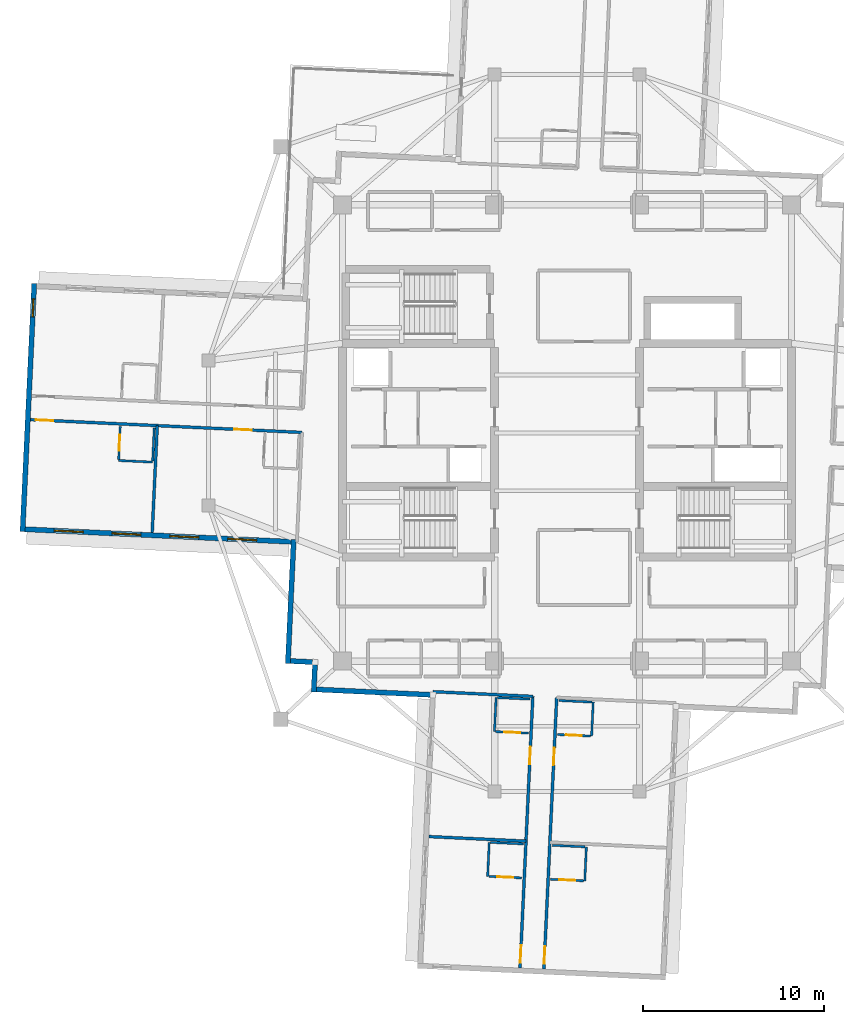
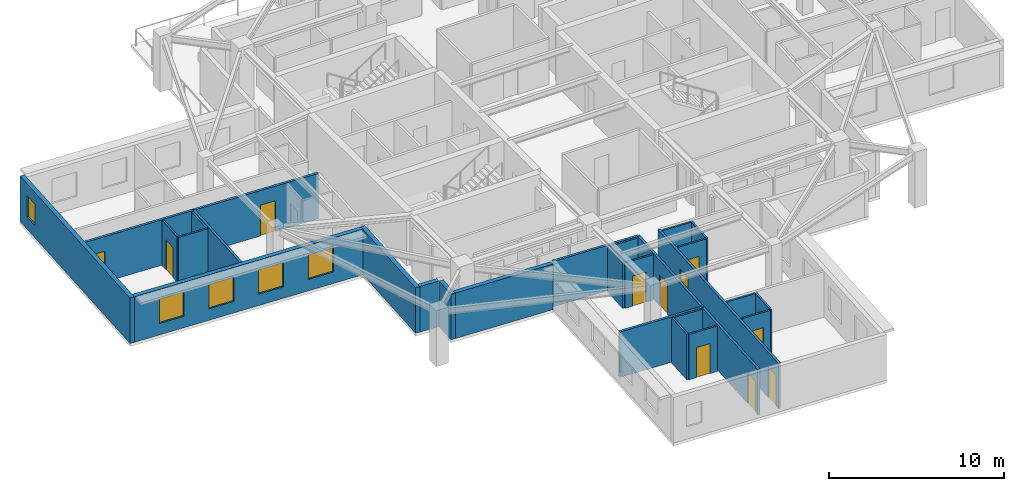
# One storey, part 3 of 12: 27 walls, 11 doors, 5 windows, 16 openings.
"""IFC4 building model written with IfcOpenShell, lengths in metres."""

from ifc_helpers import new_model, si_unit, direction, frame, frame_2d, origin, place, context, subcontext, project, spatial, rectangle, extrude, material, layer, layer_set, type_object, element, fill, save


model = new_model("IFC4")

# Units and contexts
model_context = context("Model", 3, precision=1e-05, world=origin(), true_north=direction((0.0, 1.0)))
body_context = subcontext(model_context, "Body", "Model", "MODEL_VIEW")
ifc_project = project(units=[si_unit("LENGTHUNIT", "METRE"), si_unit("AREAUNIT", "SQUARE_METRE"), si_unit("VOLUMEUNIT", "CUBIC_METRE"), si_unit("PLANEANGLEUNIT", "RADIAN"), si_unit("MASSUNIT", "GRAM", prefix="KILO")], contexts=[model_context])

# Site, building, storey
site_placement = place(None, origin())
site = spatial("IfcSite", under=ifc_project, at=site_placement, CompositionType="ELEMENT")
building_placement = place(site_placement, origin())
building = spatial("IfcBuilding", under=site, at=building_placement, Name="Qingluan Cross Belvedere", CompositionType="ELEMENT")
storey_placement = place(building_placement, frame((0.0, 0.0, 253.800048828125)))
storey = spatial("IfcBuildingStorey", under=building, at=storey_placement, Name="L63", CompositionType="ELEMENT", Elevation=253.800048828125)

# Wall, openings, doors
ifc_material_1 = material(Name="Gypsum plasterboard on steel stud acoustic partition", Category="steel")
ifc_layer_1 = layer(ifc_material_1, 0.159912109375, Name="CorridorPartition_160")
ifc_layer_set_1 = layer_set([ifc_layer_1], Name="Gypsum plasterboard on steel stud acoustic partition")
wall_type_1 = type_object("IfcWallType", Name="CorridorPartition_160", PredefinedType="PARTITIONING", material=ifc_layer_set_1)
wall_1_placement = place(storey_placement, frame((-14.635009765625, 0.029296875, 0.0), z_axis=(0.0, 0.0, 1.0), x_axis=(-0.998889487459, 0.047114666968, 0.0)))
wall_1 = element("IfcWall", 1, at=wall_1_placement, inside=storey, type_object=wall_type_1, Name="Partition L63:W:c1", PredefinedType="PARTITIONING", context=body_context, shape_type="SweptSolid", body=[
    extrude(rectangle(XDim=15.01171875, YDim=0.159912109375, at=frame_2d((7.505859375, 0.0))), origin(), (0.0, 0.0, 1.0), 3.169921875),
])
opening_1_placement = place(wall_1_placement, frame((2.780029296875, 0.0, 0.0)))
opening_1 = element("IfcOpeningElement", 2, at=opening_1_placement, cuts=wall_1, Name="Opening GD-10", PredefinedType="OPENING", context=body_context, shape_type="SweptSolid", body=[
    extrude(rectangle(XDim=0.9599609375, YDim=2.14990234375, at=frame_2d((0.47998046875, 1.074951171875))), frame((0.0, 0.08984375, 0.0), z_axis=(0.0, -1.0, 0.0), x_axis=(1.0, 0.0, 0.0)), (0.0, 0.0, 1.0), 0.179931640625),
])
opening_2_placement = place(wall_1_placement, frame((13.760009765625, 0.0, 0.0)))
opening_2 = element("IfcOpeningElement", 3, at=opening_2_placement, cuts=wall_1, Name="Opening GD-10", PredefinedType="OPENING", context=body_context, shape_type="SweptSolid", body=[
    extrude(rectangle(XDim=0.9599609375, YDim=2.14990234375, at=frame_2d((0.47998046875, 1.074951171875))), frame((0.0, 0.08984375, 0.0), z_axis=(0.0, -1.0, 0.0), x_axis=(1.0, 0.0, 0.0)), (0.0, 0.0, 1.0), 0.179931640625),
])
ifc_material_2 = material(Name="Timber oak fire-rated acoustic guestroom door", Category="wood")
door_type_1 = type_object("IfcDoorType", Name="GuestEntryDoor_FD60", OperationType="NOTDEFINED", PredefinedType="DOOR", material=ifc_material_2)
door_1_placement = place(opening_1_placement, origin())
door_1 = element("IfcDoor", 4, at=door_1_placement, inside=storey, type_object=door_type_1, Name="Guest entry fire door 6307", OperationType="SINGLE_SWING_LEFT", OverallHeight=2.14990234375, OverallWidth=0.9599609375, PredefinedType="DOOR", context=body_context, shape_type="SweptSolid", body=[
    extrude(rectangle(XDim=0.9599609375, YDim=2.14990234375, at=frame_2d((0.47998046875, 1.074951171875))), frame((0.0, 0.02490234375, 0.0), z_axis=(0.0, -1.0, 0.0), x_axis=(1.0, 0.0, 0.0)), (0.0, 0.0, 1.0), 0.050048828125),
])
fill(opening_1, door_1)
door_2_placement = place(opening_2_placement, origin())
door_2 = element("IfcDoor", 5, at=door_2_placement, inside=storey, type_object=door_type_1, Name="Guest entry fire door 6308", OperationType="SINGLE_SWING_LEFT", OverallHeight=2.14990234375, OverallWidth=0.9599609375, PredefinedType="DOOR", context=body_context, shape_type="SweptSolid", body=[
    extrude(rectangle(XDim=0.9599609375, YDim=2.14990234375, at=frame_2d((0.47998046875, 1.074951171875))), frame((0.0, 0.02490234375, 0.0), z_axis=(0.0, -1.0, 0.0), x_axis=(1.0, 0.0, 0.0)), (0.0, 0.0, 1.0), 0.050048828125),
])
fill(opening_2, door_2)

# Wall
wall_2_placement = place(storey_placement, frame((-22.6298828125, 0.406494140625, 0.0), z_axis=(0.0, 0.0, 1.0), x_axis=(-0.047117811235, -0.998889339148, 0.0)))
element("IfcWall", 6, at=wall_2_placement, inside=storey, type_object=wall_type_1, Name="Partition L63:W:d1_0", PredefinedType="PARTITIONING", context=body_context, shape_type="SweptSolid", body=[
    extrude(rectangle(XDim=5.912109375, YDim=0.159912109375, at=frame_2d((2.9560546875, 0.0))), origin(), (0.0, 0.0, 1.0), 3.169921875),
])

# Wall, openings, doors
wall_3_placement = place(storey_placement, frame((-0.56884765625, -14.609375, 0.0), z_axis=(0.0, 0.0, 1.0), x_axis=(-0.047097674677, -0.998890288791, 0.0)))
wall_3 = element("IfcWall", 7, at=wall_3_placement, inside=storey, type_object=wall_type_1, Name="Partition L63:S:c0", PredefinedType="PARTITIONING", context=body_context, shape_type="SweptSolid", body=[
    extrude(rectangle(XDim=15.011962890625, YDim=0.159912109375, at=frame_2d((7.505859375, 0.0))), origin(), (0.0, 0.0, 1.0), 3.169921875),
])
opening_3_placement = place(wall_3_placement, frame((2.780029296875, 0.0, 0.0)))
opening_3 = element("IfcOpeningElement", 8, at=opening_3_placement, cuts=wall_3, Name="Opening GD-10", PredefinedType="OPENING", context=body_context, shape_type="SweptSolid", body=[
    extrude(rectangle(XDim=0.9599609375, YDim=2.14990234375, at=frame_2d((0.47998046875, 1.074951171875))), frame((0.0, 0.08984375, 0.0), z_axis=(0.0, -1.0, 0.0), x_axis=(1.0, 0.0, 0.0)), (0.0, 0.0, 1.0), 0.179931640625),
])
opening_4_placement = place(wall_3_placement, frame((13.760009765625, 0.0, 0.0)))
opening_4 = element("IfcOpeningElement", 9, at=opening_4_placement, cuts=wall_3, Name="Opening GD-10", PredefinedType="OPENING", context=body_context, shape_type="SweptSolid", body=[
    extrude(rectangle(XDim=0.9599609375, YDim=2.14990234375, at=frame_2d((0.47998046875, 1.074951171875))), frame((0.0, 0.08984375, 0.0), z_axis=(0.0, -1.0, 0.0), x_axis=(1.0, 0.0, 0.0)), (0.0, 0.0, 1.0), 0.179931640625),
])
door_3_placement = place(opening_3_placement, origin())
door_3 = element("IfcDoor", 10, at=door_3_placement, inside=storey, type_object=door_type_1, Name="Guest entry fire door 6311", OperationType="SINGLE_SWING_LEFT", OverallHeight=2.14990234375, OverallWidth=0.9599609375, PredefinedType="DOOR", context=body_context, shape_type="SweptSolid", body=[
    extrude(rectangle(XDim=0.9599609375, YDim=2.14990234375, at=frame_2d((0.47998046875, 1.074951171875))), frame((0.0, 0.02490234375, 0.0), z_axis=(0.0, -1.0, 0.0), x_axis=(1.0, 0.0, 0.0)), (0.0, 0.0, 1.0), 0.050048828125),
])
fill(opening_3, door_3)
door_4_placement = place(opening_4_placement, origin())
door_4 = element("IfcDoor", 11, at=door_4_placement, inside=storey, type_object=door_type_1, Name="Guest entry fire door 6312", OperationType="SINGLE_SWING_LEFT", OverallHeight=2.14990234375, OverallWidth=0.9599609375, PredefinedType="DOOR", context=body_context, shape_type="SweptSolid", body=[
    extrude(rectangle(XDim=0.9599609375, YDim=2.14990234375, at=frame_2d((0.47998046875, 1.074951171875))), frame((0.0, 0.02490234375, 0.0), z_axis=(0.0, -1.0, 0.0), x_axis=(1.0, 0.0, 0.0)), (0.0, 0.0, 1.0), 0.050048828125),
])
fill(opening_4, door_4)

wall_4_placement = place(storey_placement, frame((-1.887451171875, -14.547119140625, 0.0), z_axis=(0.0, 0.0, 1.0), x_axis=(-0.047097674677, -0.998890288791, 0.0)))
wall_4 = element("IfcWall", 12, at=wall_4_placement, inside=storey, type_object=wall_type_1, Name="Partition L63:S:c1", PredefinedType="PARTITIONING", context=body_context, shape_type="SweptSolid", body=[
    extrude(rectangle(XDim=15.011962890625, YDim=0.159912109375, at=frame_2d((7.505859375, 0.0))), origin(), (0.0, 0.0, 1.0), 3.169921875),
])
opening_5_placement = place(wall_4_placement, frame((2.780029296875, 0.0, 0.0)))
opening_5 = element("IfcOpeningElement", 13, at=opening_5_placement, cuts=wall_4, Name="Opening GD-10", PredefinedType="OPENING", context=body_context, shape_type="SweptSolid", body=[
    extrude(rectangle(XDim=0.9599609375, YDim=2.14990234375, at=frame_2d((0.47998046875, 1.074951171875))), frame((0.0, 0.08984375, 0.0), z_axis=(0.0, -1.0, 0.0), x_axis=(1.0, 0.0, 0.0)), (0.0, 0.0, 1.0), 0.179931640625),
])
opening_6_placement = place(wall_4_placement, frame((13.760009765625, 0.0, 0.0)))
opening_6 = element("IfcOpeningElement", 14, at=opening_6_placement, cuts=wall_4, Name="Opening GD-10", PredefinedType="OPENING", context=body_context, shape_type="SweptSolid", body=[
    extrude(rectangle(XDim=0.9599609375, YDim=2.14990234375, at=frame_2d((0.47998046875, 1.074951171875))), frame((0.0, 0.08984375, 0.0), z_axis=(0.0, -1.0, 0.0), x_axis=(1.0, 0.0, 0.0)), (0.0, 0.0, 1.0), 0.179931640625),
])
door_5_placement = place(opening_5_placement, origin())
door_5 = element("IfcDoor", 15, at=door_5_placement, inside=storey, type_object=door_type_1, Name="Guest entry fire door 6313", OperationType="SINGLE_SWING_LEFT", OverallHeight=2.14990234375, OverallWidth=0.9599609375, PredefinedType="DOOR", context=body_context, shape_type="SweptSolid", body=[
    extrude(rectangle(XDim=0.9599609375, YDim=2.14990234375, at=frame_2d((0.47998046875, 1.074951171875))), frame((0.0, 0.02490234375, 0.0), z_axis=(0.0, -1.0, 0.0), x_axis=(1.0, 0.0, 0.0)), (0.0, 0.0, 1.0), 0.050048828125),
])
fill(opening_5, door_5)
door_6_placement = place(opening_6_placement, origin())
door_6 = element("IfcDoor", 16, at=door_6_placement, inside=storey, type_object=door_type_1, Name="Guest entry fire door 6314", OperationType="SINGLE_SWING_LEFT", OverallHeight=2.14990234375, OverallWidth=0.9599609375, PredefinedType="DOOR", context=body_context, shape_type="SweptSolid", body=[
    extrude(rectangle(XDim=0.9599609375, YDim=2.14990234375, at=frame_2d((0.47998046875, 1.074951171875))), frame((0.0, 0.02490234375, 0.0), z_axis=(0.0, -1.0, 0.0), x_axis=(1.0, 0.0, 0.0)), (0.0, 0.0, 1.0), 0.050048828125),
])
fill(opening_6, door_6)

# Walls
wall_5_placement = place(storey_placement, frame((-1.887451171875, -14.547119140625, 0.0), z_axis=(0.0, 0.0, 1.0), x_axis=(-0.998889946563, 0.04710493239, 0.0)))
element("IfcWall", 17, at=wall_5_placement, inside=storey, type_object=wall_type_1, Name="Partition L63:S:s1", PredefinedType="PARTITIONING", context=body_context, shape_type="SweptSolid", body=[
    extrude(rectangle(XDim=5.519775390625, YDim=0.159912109375, at=frame_2d((2.759765625, 0.0))), origin(), (0.0, 0.0, 1.0), 3.169921875),
])
wall_6_placement = place(storey_placement, frame((-2.264404296875, -22.54248046875, 0.0), z_axis=(0.0, 0.0, 1.0), x_axis=(-0.998888812581, 0.047128973049, 0.0)))
element("IfcWall", 18, at=wall_6_placement, inside=storey, type_object=wall_type_1, Name="Partition L63:S:d1_0", PredefinedType="PARTITIONING", context=body_context, shape_type="SweptSolid", body=[
    extrude(rectangle(XDim=5.371826171875, YDim=0.159912109375, at=frame_2d((2.68603515625, 0.0))), origin(), (0.0, 0.0, 1.0), 3.169921875),
])

# Wall, opening, door
ifc_material_3 = material(Name="Moisture-resistant gypsum board lining")
ifc_layer_2 = layer(ifc_material_3, 0.1201171875, Name="EnsuiteWetPartition_120")
ifc_layer_set_2 = layer_set([ifc_layer_2], Name="Moisture-resistant gypsum board lining")
wall_type_2 = type_object("IfcWallType", Name="EnsuiteWetPartition_120", PredefinedType="PARTITIONING", material=ifc_layer_set_2)
wall_7_placement = place(storey_placement, frame((-24.760009765625, -1.455322265625, 0.0), z_axis=(0.0, 0.0, 1.0), x_axis=(0.047080807099, 0.998891083954, 0.0)))
wall_7 = element("IfcWall", 19, at=wall_7_placement, inside=storey, type_object=wall_type_2, Name="Partition L63:W:bs1_1", PredefinedType="PARTITIONING", context=body_context, shape_type="SweptSolid", body=[
    extrude(rectangle(XDim=1.820068359375, YDim=0.1201171875, at=frame_2d((0.91015625, 0.0))), origin(), (0.0, 0.0, 1.0), 3.169921875),
])
opening_7_placement = place(wall_7_placement, frame((0.469970703125, 0.0, 0.0)))
opening_7 = element("IfcOpeningElement", 20, at=opening_7_placement, cuts=wall_7, Name="Opening BD-09", PredefinedType="OPENING", context=body_context, shape_type="SweptSolid", body=[
    extrude(rectangle(XDim=0.8798828125, YDim=2.10009765625, at=frame_2d((0.43994140625, 1.050048828125))), frame((0.0, 0.070068359375, 0.0), z_axis=(0.0, -1.0, 0.0), x_axis=(1.0, 0.0, 0.0)), (0.0, 0.0, 1.0), 0.14013671875),
])
ifc_material_4 = material(Name="Moisture-sealed timber en-suite door", Category="wood")
door_type_2 = type_object("IfcDoorType", Name="BathroomDoor_880", OperationType="NOTDEFINED", PredefinedType="DOOR", material=ifc_material_4)
door_7_placement = place(opening_7_placement, origin())
door_7 = element("IfcDoor", 21, at=door_7_placement, inside=storey, type_object=door_type_2, Name="Bathroom door 6308", OperationType="SINGLE_SWING_RIGHT", OverallHeight=2.10009765625, OverallWidth=0.8798828125, PredefinedType="DOOR", context=body_context, shape_type="SweptSolid", body=[
    extrude(rectangle(XDim=0.8798828125, YDim=2.10009765625, at=frame_2d((0.43994140625, 1.050048828125))), frame((0.0, 0.02490234375, 0.0), z_axis=(0.0, -1.0, 0.0), x_axis=(1.0, 0.0, 0.0)), (0.0, 0.0, 1.0), 0.050048828125),
])
fill(opening_7, door_7)

# Walls
wall_8_placement = place(storey_placement, frame((-22.882080078125, -1.543701171875, 0.0), z_axis=(0.0, 0.0, 1.0), x_axis=(0.047087116047, 0.998890786574, 0.0)))
element("IfcWall", 22, at=wall_8_placement, inside=storey, type_object=wall_type_2, Name="Partition L63:W:bw1_1", PredefinedType="PARTITIONING", context=body_context, shape_type="SweptSolid", body=[
    extrude(rectangle(XDim=1.81982421875, YDim=0.1201171875, at=frame_2d((0.909912109375, 0.0))), origin(), (0.0, 0.0, 1.0), 3.169921875),
])
wall_9_placement = place(storey_placement, frame((-22.88525390625, -1.608642578125, 0.0), z_axis=(0.0, 0.0, 1.0), x_axis=(-0.998894425757, 0.04700985207, 0.0)))
element("IfcWall", 23, at=wall_9_placement, inside=storey, type_object=wall_type_2, Name="Partition L63:W:bc1_1", PredefinedType="PARTITIONING", context=body_context, shape_type="SweptSolid", body=[
    extrude(rectangle(XDim=1.880126953125, YDim=0.1201171875, at=frame_2d((0.93994140625, 0.0))), origin(), (0.0, 0.0, 1.0), 3.169921875),
])

# Wall, opening, door
wall_10_placement = place(storey_placement, frame((-0.525146484375, -16.65380859375, 0.0), z_axis=(0.0, 0.0, 1.0), x_axis=(0.998891083954, -0.047080807099, 0.0)))
wall_10 = element("IfcWall", 24, at=wall_10_placement, inside=storey, type_object=wall_type_2, Name="Partition L63:S:bs0_0", PredefinedType="PARTITIONING", context=body_context, shape_type="SweptSolid", body=[
    extrude(rectangle(XDim=1.820068359375, YDim=0.1201171875, at=frame_2d((0.91015625, 0.0))), origin(), (0.0, 0.0, 1.0), 3.169921875),
])
opening_8_placement = place(wall_10_placement, frame((0.469970703125, 0.0, 0.0)))
opening_8 = element("IfcOpeningElement", 25, at=opening_8_placement, cuts=wall_10, Name="Opening BD-09", PredefinedType="OPENING", context=body_context, shape_type="SweptSolid", body=[
    extrude(rectangle(XDim=0.8798828125, YDim=2.10009765625, at=frame_2d((0.43994140625, 1.050048828125))), frame((0.0, 0.070068359375, 0.0), z_axis=(0.0, -1.0, 0.0), x_axis=(1.0, 0.0, 0.0)), (0.0, 0.0, 1.0), 0.14013671875),
])
door_8_placement = place(opening_8_placement, origin())
door_8 = element("IfcDoor", 26, at=door_8_placement, inside=storey, type_object=door_type_2, Name="Bathroom door 6311", OperationType="SINGLE_SWING_RIGHT", OverallHeight=2.10009765625, OverallWidth=0.8798828125, PredefinedType="DOOR", context=body_context, shape_type="SweptSolid", body=[
    extrude(rectangle(XDim=0.8798828125, YDim=2.10009765625, at=frame_2d((0.43994140625, 1.050048828125))), frame((0.0, 0.02490234375, 0.0), z_axis=(0.0, -1.0, 0.0), x_axis=(1.0, 0.0, 0.0)), (0.0, 0.0, 1.0), 0.050048828125),
])
fill(opening_8, door_8)

# Walls
wall_11_placement = place(storey_placement, frame((-0.4365234375, -14.77587890625, 0.0), z_axis=(0.0, 0.0, 1.0), x_axis=(0.998891083954, -0.047080807099, 0.0)))
element("IfcWall", 27, at=wall_11_placement, inside=storey, type_object=wall_type_2, Name="Partition L63:S:bw0_0", PredefinedType="PARTITIONING", context=body_context, shape_type="SweptSolid", body=[
    extrude(rectangle(XDim=1.820068359375, YDim=0.1201171875, at=frame_2d((0.91015625, 0.0))), origin(), (0.0, 0.0, 1.0), 3.169921875),
])
wall_12_placement = place(storey_placement, frame((1.4462890625, -14.864501953125, 0.0), z_axis=(0.0, 0.0, 1.0), x_axis=(-0.04700985207, -0.998894425757, 0.0)))
element("IfcWall", 28, at=wall_12_placement, inside=storey, type_object=wall_type_2, Name="Partition L63:S:bn0_0", PredefinedType="PARTITIONING", context=body_context, shape_type="SweptSolid", body=[
    extrude(rectangle(XDim=1.880126953125, YDim=0.1201171875, at=frame_2d((0.93994140625, 0.0))), origin(), (0.0, 0.0, 1.0), 3.169921875),
])

# Wall, opening, door
wall_13_placement = place(storey_placement, frame((-0.902099609375, -24.64892578125, 0.0), z_axis=(0.0, 0.0, 1.0), x_axis=(0.998891083954, -0.047080807099, 0.0)))
wall_13 = element("IfcWall", 29, at=wall_13_placement, inside=storey, type_object=wall_type_2, Name="Partition L63:S:bs0_1", PredefinedType="PARTITIONING", context=body_context, shape_type="SweptSolid", body=[
    extrude(rectangle(XDim=1.820068359375, YDim=0.1201171875, at=frame_2d((0.91015625, 0.0))), origin(), (0.0, 0.0, 1.0), 3.169921875),
])
opening_9_placement = place(wall_13_placement, frame((0.469970703125, 0.0, 0.0)))
opening_9 = element("IfcOpeningElement", 30, at=opening_9_placement, cuts=wall_13, Name="Opening BD-09", PredefinedType="OPENING", context=body_context, shape_type="SweptSolid", body=[
    extrude(rectangle(XDim=0.8798828125, YDim=2.10009765625, at=frame_2d((0.43994140625, 1.050048828125))), frame((0.0, 0.070068359375, 0.0), z_axis=(0.0, -1.0, 0.0), x_axis=(1.0, 0.0, 0.0)), (0.0, 0.0, 1.0), 0.14013671875),
])
door_9_placement = place(opening_9_placement, origin())
door_9 = element("IfcDoor", 31, at=door_9_placement, inside=storey, type_object=door_type_2, Name="Bathroom door 6312", OperationType="SINGLE_SWING_RIGHT", OverallHeight=2.10009765625, OverallWidth=0.8798828125, PredefinedType="DOOR", context=body_context, shape_type="SweptSolid", body=[
    extrude(rectangle(XDim=0.8798828125, YDim=2.10009765625, at=frame_2d((0.43994140625, 1.050048828125))), frame((0.0, 0.02490234375, 0.0), z_axis=(0.0, -1.0, 0.0), x_axis=(1.0, 0.0, 0.0)), (0.0, 0.0, 1.0), 0.050048828125),
])
fill(opening_9, door_9)

# Walls
wall_14_placement = place(storey_placement, frame((-0.813720703125, -22.77099609375, 0.0), z_axis=(0.0, 0.0, 1.0), x_axis=(0.998891083954, -0.047080807099, 0.0)))
element("IfcWall", 32, at=wall_14_placement, inside=storey, type_object=wall_type_2, Name="Partition L63:S:bw0_1", PredefinedType="PARTITIONING", context=body_context, shape_type="SweptSolid", body=[
    extrude(rectangle(XDim=1.820068359375, YDim=0.1201171875, at=frame_2d((0.91015625, 0.0))), origin(), (0.0, 0.0, 1.0), 3.169921875),
])
wall_15_placement = place(storey_placement, frame((1.0693359375, -22.85986328125, 0.0), z_axis=(0.0, 0.0, 1.0), x_axis=(-0.047139425368, -0.998888319371, 0.0)))
element("IfcWall", 33, at=wall_15_placement, inside=storey, type_object=wall_type_2, Name="Partition L63:S:bn0_1", PredefinedType="PARTITIONING", context=body_context, shape_type="SweptSolid", body=[
    extrude(rectangle(XDim=1.880126953125, YDim=0.1201171875, at=frame_2d((0.93994140625, 0.0))), origin(), (0.0, 0.0, 1.0), 3.169921875),
])

# Wall, opening, door
wall_16_placement = place(storey_placement, frame((-3.94140625, -16.49267578125, 0.0), z_axis=(0.0, 0.0, 1.0), x_axis=(0.998891083954, -0.047080807099, 0.0)))
wall_16 = element("IfcWall", 34, at=wall_16_placement, inside=storey, type_object=wall_type_2, Name="Partition L63:S:bs1_0", PredefinedType="PARTITIONING", context=body_context, shape_type="SweptSolid", body=[
    extrude(rectangle(XDim=1.820068359375, YDim=0.1201171875, at=frame_2d((0.91015625, 0.0))), origin(), (0.0, 0.0, 1.0), 3.169921875),
])
opening_10_placement = place(wall_16_placement, frame((0.469970703125, 0.0, 0.0)))
opening_10 = element("IfcOpeningElement", 35, at=opening_10_placement, cuts=wall_16, Name="Opening BD-09", PredefinedType="OPENING", context=body_context, shape_type="SweptSolid", body=[
    extrude(rectangle(XDim=0.8798828125, YDim=2.10009765625, at=frame_2d((0.43994140625, 1.050048828125))), frame((0.0, 0.070068359375, 0.0), z_axis=(0.0, -1.0, 0.0), x_axis=(1.0, 0.0, 0.0)), (0.0, 0.0, 1.0), 0.14013671875),
])
door_10_placement = place(opening_10_placement, origin())
door_10 = element("IfcDoor", 36, at=door_10_placement, inside=storey, type_object=door_type_2, Name="Bathroom door 6313", OperationType="SINGLE_SWING_RIGHT", OverallHeight=2.10009765625, OverallWidth=0.8798828125, PredefinedType="DOOR", context=body_context, shape_type="SweptSolid", body=[
    extrude(rectangle(XDim=0.8798828125, YDim=2.10009765625, at=frame_2d((0.43994140625, 1.050048828125))), frame((0.0, 0.02490234375, 0.0), z_axis=(0.0, -1.0, 0.0), x_axis=(1.0, 0.0, 0.0)), (0.0, 0.0, 1.0), 0.050048828125),
])
fill(opening_10, door_10)

# Walls
wall_17_placement = place(storey_placement, frame((-3.852783203125, -14.61474609375, 0.0), z_axis=(0.0, 0.0, 1.0), x_axis=(0.998891083954, -0.047080807099, 0.0)))
element("IfcWall", 37, at=wall_17_placement, inside=storey, type_object=wall_type_2, Name="Partition L63:S:bw1_0", PredefinedType="PARTITIONING", context=body_context, shape_type="SweptSolid", body=[
    extrude(rectangle(XDim=1.820068359375, YDim=0.1201171875, at=frame_2d((0.91015625, 0.0))), origin(), (0.0, 0.0, 1.0), 3.169921875),
])
wall_18_placement = place(storey_placement, frame((-3.917724609375, -14.61181640625, 0.0), z_axis=(0.0, 0.0, 1.0), x_axis=(-0.04701595088, -0.998894138717, 0.0)))
element("IfcWall", 38, at=wall_18_placement, inside=storey, type_object=wall_type_2, Name="Partition L63:S:bc1_0", PredefinedType="PARTITIONING", context=body_context, shape_type="SweptSolid", body=[
    extrude(rectangle(XDim=1.8798828125, YDim=0.1201171875, at=frame_2d((0.93994140625, 0.0))), origin(), (0.0, 0.0, 1.0), 3.169921875),
])

# Wall, opening, door
wall_19_placement = place(storey_placement, frame((-4.318359375, -24.48779296875, 0.0), z_axis=(0.0, 0.0, 1.0), x_axis=(0.998891083954, -0.047080807099, 0.0)))
wall_19 = element("IfcWall", 39, at=wall_19_placement, inside=storey, type_object=wall_type_2, Name="Partition L63:S:bs1_1", PredefinedType="PARTITIONING", context=body_context, shape_type="SweptSolid", body=[
    extrude(rectangle(XDim=1.820068359375, YDim=0.1201171875, at=frame_2d((0.91015625, 0.0))), origin(), (0.0, 0.0, 1.0), 3.169921875),
])
opening_11_placement = place(wall_19_placement, frame((0.469970703125, 0.0, 0.0)))
opening_11 = element("IfcOpeningElement", 40, at=opening_11_placement, cuts=wall_19, Name="Opening BD-09", PredefinedType="OPENING", context=body_context, shape_type="SweptSolid", body=[
    extrude(rectangle(XDim=0.8798828125, YDim=2.10009765625, at=frame_2d((0.43994140625, 1.050048828125))), frame((0.0, 0.070068359375, 0.0), z_axis=(0.0, -1.0, 0.0), x_axis=(1.0, 0.0, 0.0)), (0.0, 0.0, 1.0), 0.14013671875),
])
door_11_placement = place(opening_11_placement, origin())
door_11 = element("IfcDoor", 41, at=door_11_placement, inside=storey, type_object=door_type_2, Name="Bathroom door 6314", OperationType="SINGLE_SWING_RIGHT", OverallHeight=2.10009765625, OverallWidth=0.8798828125, PredefinedType="DOOR", context=body_context, shape_type="SweptSolid", body=[
    extrude(rectangle(XDim=0.8798828125, YDim=2.10009765625, at=frame_2d((0.43994140625, 1.050048828125))), frame((0.0, 0.02490234375, 0.0), z_axis=(0.0, -1.0, 0.0), x_axis=(1.0, 0.0, 0.0)), (0.0, 0.0, 1.0), 0.050048828125),
])
fill(opening_11, door_11)

# Walls
wall_20_placement = place(storey_placement, frame((-4.229736328125, -22.60986328125, 0.0), z_axis=(0.0, 0.0, 1.0), x_axis=(0.998890786574, -0.047087116047, 0.0)))
element("IfcWall", 42, at=wall_20_placement, inside=storey, type_object=wall_type_2, Name="Partition L63:S:bw1_1", PredefinedType="PARTITIONING", context=body_context, shape_type="SweptSolid", body=[
    extrude(rectangle(XDim=1.81982421875, YDim=0.1201171875, at=frame_2d((0.909912109375, 0.0))), origin(), (0.0, 0.0, 1.0), 3.169921875),
])
wall_21_placement = place(storey_placement, frame((-4.294677734375, -22.606689453125, 0.0), z_axis=(0.0, 0.0, 1.0), x_axis=(-0.047139425368, -0.998888319371, 0.0)))
element("IfcWall", 43, at=wall_21_placement, inside=storey, type_object=wall_type_2, Name="Partition L63:S:bc1_1", PredefinedType="PARTITIONING", context=body_context, shape_type="SweptSolid", body=[
    extrude(rectangle(XDim=1.880126953125, YDim=0.1201171875, at=frame_2d((0.93994140625, 0.0))), origin(), (0.0, 0.0, 1.0), 3.169921875),
])

# Wall, openings, windows
ifc_material_5 = material(Name="Precast concrete C45", Category="concrete")
ifc_layer_3 = layer(ifc_material_5, 0.280029296875, Name="PrecastFacadeWall_280")
ifc_layer_set_3 = layer_set([ifc_layer_3], Name="Precast concrete C45")
wall_type_3 = type_object("IfcWallType", Name="PrecastFacadeWall_280", PredefinedType="STANDARD", material=ifc_layer_set_3)
wall_22_placement = place(storey_placement, frame((-29.923583984375, -5.31640625, 0.0), z_axis=(0.0, 0.0, 1.0), x_axis=(0.998890124275, -0.047101163748, 0.0)))
wall_22 = element("IfcWall", 44, at=wall_22_placement, inside=storey, type_object=wall_type_3, Name="Facade wall L63-WB", PredefinedType="STANDARD", context=body_context, shape_type="SweptSolid", body=[
    extrude(rectangle(XDim=14.699951171875, YDim=0.280029296875, at=frame_2d((7.35009765625, 0.0))), origin(), (0.0, 0.0, 1.0), 3.179931640625),
])
opening_12_placement = place(wall_22_placement, frame((1.60009765625, 0.0, 0.800048828125)))
opening_12 = element("IfcOpeningElement", 45, at=opening_12_placement, cuts=wall_22, Name="Opening W-04", PredefinedType="OPENING", context=body_context, shape_type="SweptSolid", body=[
    extrude(rectangle(XDim=1.60009765625, YDim=1.699951171875, at=frame_2d((0.800048828125, 0.85009765625))), frame((0.0, 0.14990234375, 0.0), z_axis=(0.0, -1.0, 0.0), x_axis=(1.0, 0.0, 0.0)), (0.0, 0.0, 1.0), 0.300048828125),
])
opening_13_placement = place(wall_22_placement, frame((4.800048828125, 0.0, 0.800048828125)))
opening_13 = element("IfcOpeningElement", 46, at=opening_13_placement, cuts=wall_22, Name="Opening W-04", PredefinedType="OPENING", context=body_context, shape_type="SweptSolid", body=[
    extrude(rectangle(XDim=1.60009765625, YDim=1.699951171875, at=frame_2d((0.800048828125, 0.85009765625))), frame((0.0, 0.14990234375, 0.0), z_axis=(0.0, -1.0, 0.0), x_axis=(1.0, 0.0, 0.0)), (0.0, 0.0, 1.0), 0.300048828125),
])
opening_14_placement = place(wall_22_placement, frame((8.0, 0.0, 0.800048828125)))
opening_14 = element("IfcOpeningElement", 47, at=opening_14_placement, cuts=wall_22, Name="Opening W-04", PredefinedType="OPENING", context=body_context, shape_type="SweptSolid", body=[
    extrude(rectangle(XDim=1.60009765625, YDim=1.699951171875, at=frame_2d((0.800048828125, 0.85009765625))), frame((0.0, 0.14990234375, 0.0), z_axis=(0.0, -1.0, 0.0), x_axis=(1.0, 0.0, 0.0)), (0.0, 0.0, 1.0), 0.300048828125),
])
opening_15_placement = place(wall_22_placement, frame((11.199951171875, 0.0, 0.800048828125)))
opening_15 = element("IfcOpeningElement", 48, at=opening_15_placement, cuts=wall_22, Name="Opening W-04", PredefinedType="OPENING", context=body_context, shape_type="SweptSolid", body=[
    extrude(rectangle(XDim=1.60009765625, YDim=1.699951171875, at=frame_2d((0.800048828125, 0.85009765625))), frame((0.0, 0.14990234375, 0.0), z_axis=(0.0, -1.0, 0.0), x_axis=(1.0, 0.0, 0.0)), (0.0, 0.0, 1.0), 0.300048828125),
])
ifc_material_6 = material(Name="Thermally broken triple Low-E glass in aluminium frame", Category="aluminium")
window_type_1 = type_object("IfcWindowType", Name="SuiteCornerWin_1600x1700", PartitioningType="SINGLE_PANEL", PredefinedType="WINDOW", material=ifc_material_6)
window_1_placement = place(opening_12_placement, origin())
window_1 = element("IfcWindow", 49, at=window_1_placement, inside=storey, type_object=window_type_1, Name="Ribbon window L63-WB-1", OverallHeight=1.699951171875, OverallWidth=1.60009765625, PartitioningType="SINGLE_PANEL", PredefinedType="WINDOW", context=body_context, shape_type="SweptSolid", body=[
    extrude(rectangle(XDim=1.60009765625, YDim=1.699951171875, at=frame_2d((0.800048828125, 0.85009765625))), frame((0.0, 0.030029296875, 0.0), z_axis=(0.0, -1.0, 0.0), x_axis=(1.0, 0.0, 0.0)), (0.0, 0.0, 1.0), 0.06005859375),
])
fill(opening_12, window_1)
window_2_placement = place(opening_13_placement, origin())
window_2 = element("IfcWindow", 50, at=window_2_placement, inside=storey, type_object=window_type_1, Name="Ribbon window L63-WB-2", OverallHeight=1.699951171875, OverallWidth=1.60009765625, PartitioningType="SINGLE_PANEL", PredefinedType="WINDOW", context=body_context, shape_type="SweptSolid", body=[
    extrude(rectangle(XDim=1.60009765625, YDim=1.699951171875, at=frame_2d((0.800048828125, 0.85009765625))), frame((0.0, 0.030029296875, 0.0), z_axis=(0.0, -1.0, 0.0), x_axis=(1.0, 0.0, 0.0)), (0.0, 0.0, 1.0), 0.06005859375),
])
fill(opening_13, window_2)
window_3_placement = place(opening_14_placement, origin())
window_3 = element("IfcWindow", 51, at=window_3_placement, inside=storey, type_object=window_type_1, Name="Ribbon window L63-WB-3", OverallHeight=1.699951171875, OverallWidth=1.60009765625, PartitioningType="SINGLE_PANEL", PredefinedType="WINDOW", context=body_context, shape_type="SweptSolid", body=[
    extrude(rectangle(XDim=1.60009765625, YDim=1.699951171875, at=frame_2d((0.800048828125, 0.85009765625))), frame((0.0, 0.030029296875, 0.0), z_axis=(0.0, -1.0, 0.0), x_axis=(1.0, 0.0, 0.0)), (0.0, 0.0, 1.0), 0.06005859375),
])
fill(opening_14, window_3)
window_4_placement = place(opening_15_placement, origin())
window_4 = element("IfcWindow", 52, at=window_4_placement, inside=storey, type_object=window_type_1, Name="Ribbon window L63-WB-4", OverallHeight=1.699951171875, OverallWidth=1.60009765625, PartitioningType="SINGLE_PANEL", PredefinedType="WINDOW", context=body_context, shape_type="SweptSolid", body=[
    extrude(rectangle(XDim=1.60009765625, YDim=1.699951171875, at=frame_2d((0.800048828125, 0.85009765625))), frame((0.0, 0.030029296875, 0.0), z_axis=(0.0, -1.0, 0.0), x_axis=(1.0, 0.0, 0.0)), (0.0, 0.0, 1.0), 0.06005859375),
])
fill(opening_15, window_4)

# Wall, opening, window
wall_23_placement = place(storey_placement, frame((-29.423828125, 8.255126953125, 0.0), z_axis=(0.0, 0.0, 1.0), x_axis=(-0.047101845086, -0.998890092147, 0.0)))
wall_23 = element("IfcWall", 53, at=wall_23_placement, inside=storey, type_object=wall_type_3, Name="Arm tip precast facade wall L63-W", PredefinedType="STANDARD", context=body_context, shape_type="SweptSolid", body=[
    extrude(rectangle(XDim=13.719970703125, YDim=0.280029296875, at=frame_2d((6.85986328125, 0.0))), origin(), (0.0, 0.0, 1.0), 3.179931640625),
])
opening_16_placement = place(wall_23_placement, frame((0.85009765625, 0.0, 0.85009765625)))
opening_16 = element("IfcOpeningElement", 54, at=opening_16_placement, cuts=wall_23, Name="Opening W-03", PredefinedType="OPENING", context=body_context, shape_type="SweptSolid", body=[
    extrude(rectangle(XDim=1.0, YDim=1.5, at=frame_2d((0.5, 0.75))), frame((0.0, 0.14990234375, 0.0), z_axis=(0.0, -1.0, 0.0), x_axis=(1.0, 0.0, 0.0)), (0.0, 0.0, 1.0), 0.300048828125),
])
ifc_material_7 = material(Name="Thermally broken triple Low-E glass in aluminium frame", Category="aluminium")
window_type_2 = type_object("IfcWindowType", Name="TriApexWin_1000x1500", PartitioningType="SINGLE_PANEL", PredefinedType="WINDOW", material=ifc_material_7)
window_5_placement = place(opening_16_placement, origin())
window_5 = element("IfcWindow", 55, at=window_5_placement, inside=storey, type_object=window_type_2, Name="Arm tip triangular window L63-W", OverallHeight=1.5, OverallWidth=1.0, PartitioningType="SINGLE_PANEL", PredefinedType="WINDOW", context=body_context, shape_type="SweptSolid", body=[
    extrude(rectangle(XDim=1.0, YDim=1.5, at=frame_2d((0.5, 0.75))), frame((0.0, 0.030029296875, 0.0), z_axis=(0.0, -1.0, 0.0), x_axis=(1.0, 0.0, 0.0)), (0.0, 0.0, 1.0), 0.06005859375),
])
fill(opening_16, window_5)

# Walls
wall_24_placement = place(storey_placement, frame((-15.093505859375, -5.87548828125, 0.0), z_axis=(0.0, 0.0, 1.0), x_axis=(-0.04712043756, -0.998889215261, 0.0)))
element("IfcWall", 56, at=wall_24_placement, inside=storey, type_object=wall_type_3, Name="Corner wall L63-SW1", PredefinedType="STANDARD", context=body_context, shape_type="SweptSolid", body=[
    extrude(rectangle(XDim=6.85986328125, YDim=0.280029296875, at=frame_2d((3.429931640625, 0.0))), origin(), (0.0, 0.0, 1.0), 3.179931640625),
])
wall_25_placement = place(storey_placement, frame((-15.270263671875, -12.5947265625, 0.0), z_axis=(0.0, 0.0, 1.0), x_axis=(0.998893795343, -0.047023245574, 0.0)))
element("IfcWall", 57, at=wall_25_placement, inside=storey, type_object=wall_type_3, Name="Corner wall L63-SW2", PredefinedType="STANDARD", context=body_context, shape_type="SweptSolid", body=[
    extrude(rectangle(XDim=1.22021484375, YDim=0.280029296875, at=frame_2d((0.610107421875, 0.0))), origin(), (0.0, 0.0, 1.0), 3.179931640625),
])
wall_26_placement = place(storey_placement, frame((-13.918212890625, -12.798583984375, 0.0), z_axis=(0.0, 0.0, 1.0), x_axis=(-0.047201688113, -0.99888537913, 0.0)))
element("IfcWall", 58, at=wall_26_placement, inside=storey, type_object=wall_type_3, Name="Corner wall L63-SW3", PredefinedType="STANDARD", context=body_context, shape_type="SweptSolid", body=[
    extrude(rectangle(XDim=1.5, YDim=0.280029296875, at=frame_2d((0.75, 0.0))), origin(), (0.0, 0.0, 1.0), 3.179931640625),
])
wall_27_placement = place(storey_placement, frame((-13.842529296875, -14.16357421875, 0.0), z_axis=(0.0, 0.0, 1.0), x_axis=(0.998889082162, -0.047123258997, 0.0)))
element("IfcWall", 59, at=wall_27_placement, inside=storey, type_object=wall_type_3, Name="Corner wall L63-SW4", PredefinedType="STANDARD", context=body_context, shape_type="SweptSolid", body=[
    extrude(rectangle(XDim=6.300048828125, YDim=0.280029296875, at=frame_2d((3.14990234375, 0.0))), origin(), (0.0, 0.0, 1.0), 3.179931640625),
])

save(model, "model.ifc")
